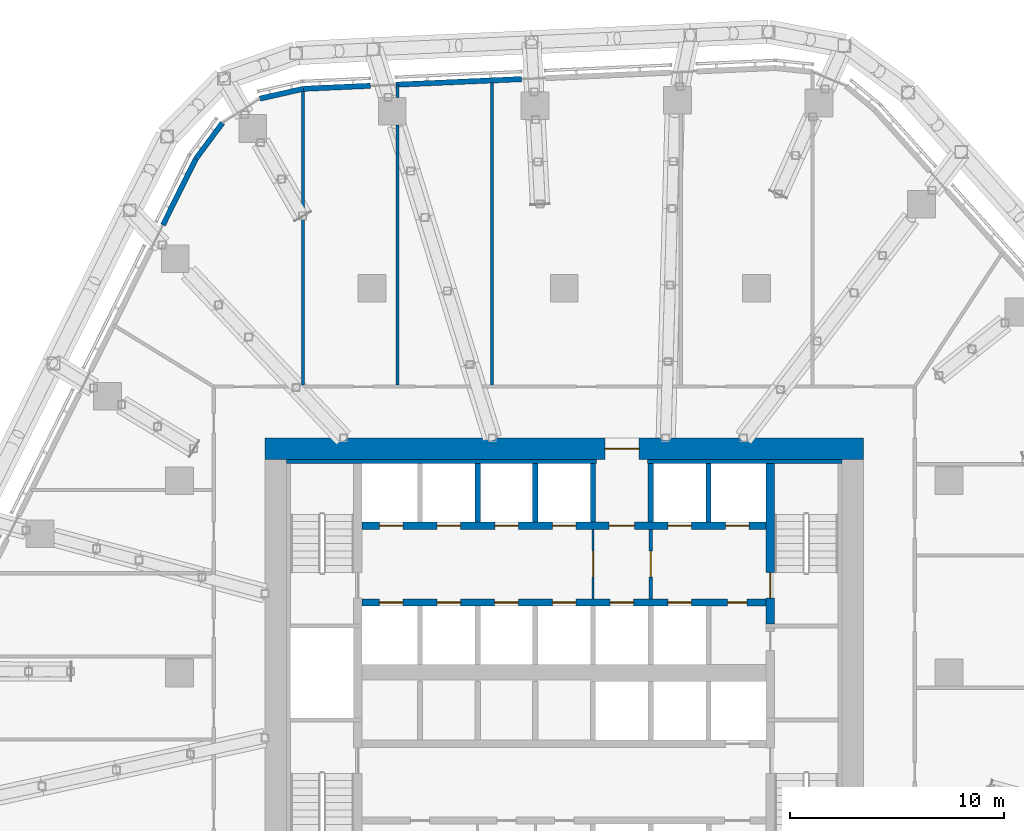
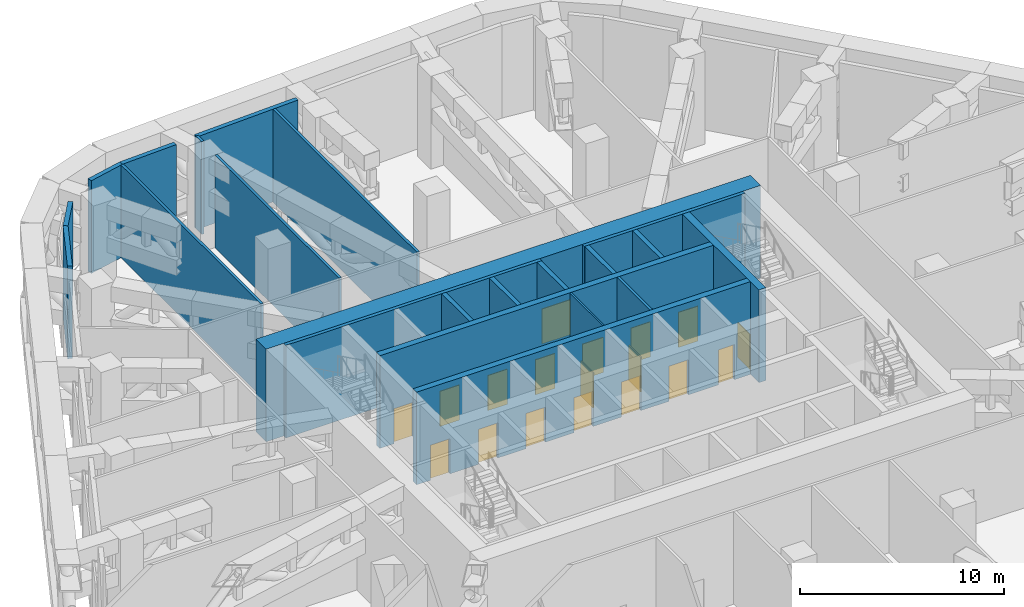
# One storey, part 18 of 30: 22 walls, 18 doors, 18 openings.
"""IFC4 building model written with IfcOpenShell, lengths in metres."""

from ifc_helpers import new_model, si_unit, direction, frame, frame_2d, origin, place, context, subcontext, project, spatial, rectangle, extrude, material, layer, layer_set, type_object, element, fill, save


model = new_model("IFC4")

# Units and contexts
model_context = context("Model", 3, precision=1e-05, world=origin(), true_north=direction((0.0, 1.0)))
body_context = subcontext(model_context, "Body", "Model", "MODEL_VIEW")
ifc_project = project(units=[si_unit("LENGTHUNIT", "METRE"), si_unit("AREAUNIT", "SQUARE_METRE"), si_unit("VOLUMEUNIT", "CUBIC_METRE"), si_unit("PLANEANGLEUNIT", "RADIAN"), si_unit("MASSUNIT", "GRAM", prefix="KILO")], contexts=[model_context])

# Site, building, storey
site_placement = place(None, origin())
site = spatial("IfcSite", under=ifc_project, at=site_placement, CompositionType="ELEMENT")
building_placement = place(site_placement, origin())
building = spatial("IfcBuilding", under=site, at=building_placement, Name="Dongbaek Canopy Tower", CompositionType="ELEMENT")
storey_placement = place(building_placement, frame((0.0, 0.0, 145.60009765625)))
storey = spatial("IfcBuildingStorey", under=building, at=storey_placement, Name="L32", CompositionType="ELEMENT", Elevation=145.60009765625)

# Wall, openings, doors
ifc_material_1 = material(Name="Concrete C60/75", Category="concrete")
ifc_layer_1 = layer(ifc_material_1, 0.35009765625)
ifc_layer_set_1 = layer_set([ifc_layer_1], Name="Core lobby wall 350 Concrete C60/75")
wall_type_1 = type_object("IfcWallType", Name="Core lobby wall 350 Concrete C60/75", PredefinedType="SHEAR", material=ifc_layer_set_1)
wall_1_placement = place(storey_placement, frame((-9.449951171875, 6.89990234375, 0.0), z_axis=(0.0, 0.0, 1.0), x_axis=(1.0, 0.0, 0.0)))
wall_1 = element("IfcWall", 1, at=wall_1_placement, inside=storey, type_object=wall_type_1, Name="Core wall", PredefinedType="SHEAR", context=body_context, shape_type="SweptSolid", body=[
    extrude(rectangle(XDim=18.89990234375, YDim=0.35009765625, at=frame_2d((9.449951171875, 0.0))), origin(), (0.0, 0.0, 1.0), 5.5498046875),
])
opening_1_placement = place(wall_1_placement, frame((0.800048828125, 0.0, 0.0)))
opening_1 = element("IfcOpeningElement", 2, at=opening_1_placement, cuts=wall_1, Name="Opening L32-D025", PredefinedType="OPENING", context=body_context, shape_type="SweptSolid", body=[
    extrude(rectangle(XDim=1.10009765625, YDim=2.10009765625, at=frame_2d((0.550048828125, 1.050048828125))), frame((0.0, 0.18505859375, 0.0), z_axis=(0.0, -1.0, 0.0), x_axis=(1.0, 0.0, 0.0)), (0.0, 0.0, 1.0), 0.3701171875),
])
opening_2_placement = place(wall_1_placement, frame((3.5, 0.0, 0.0)))
opening_2 = element("IfcOpeningElement", 3, at=opening_2_placement, cuts=wall_1, Name="Opening L32-D026", PredefinedType="OPENING", context=body_context, shape_type="SweptSolid", body=[
    extrude(rectangle(XDim=1.10009765625, YDim=2.10009765625, at=frame_2d((0.550048828125, 1.050048828125))), frame((0.0, 0.18505859375, 0.0), z_axis=(0.0, -1.0, 0.0), x_axis=(1.0, 0.0, 0.0)), (0.0, 0.0, 1.0), 0.3701171875),
])
opening_3_placement = place(wall_1_placement, frame((6.199951171875, 0.0, 0.0)))
opening_3 = element("IfcOpeningElement", 4, at=opening_3_placement, cuts=wall_1, Name="Opening L32-D027", PredefinedType="OPENING", context=body_context, shape_type="SweptSolid", body=[
    extrude(rectangle(XDim=1.10009765625, YDim=2.10009765625, at=frame_2d((0.550048828125, 1.050048828125))), frame((0.0, 0.18505859375, 0.0), z_axis=(0.0, -1.0, 0.0), x_axis=(1.0, 0.0, 0.0)), (0.0, 0.0, 1.0), 0.3701171875),
])
opening_4_placement = place(wall_1_placement, frame((8.89990234375, 0.0, 0.0)))
opening_4 = element("IfcOpeningElement", 5, at=opening_4_placement, cuts=wall_1, Name="Opening L32-D028", PredefinedType="OPENING", context=body_context, shape_type="SweptSolid", body=[
    extrude(rectangle(XDim=1.10009765625, YDim=2.10009765625, at=frame_2d((0.550048828125, 1.050048828125))), frame((0.0, 0.18505859375, 0.0), z_axis=(0.0, -1.0, 0.0), x_axis=(1.0, 0.0, 0.0)), (0.0, 0.0, 1.0), 0.3701171875),
])
opening_5_placement = place(wall_1_placement, frame((11.550048828125, 0.0, 0.0)))
opening_5 = element("IfcOpeningElement", 6, at=opening_5_placement, cuts=wall_1, Name="Opening L32-D030", PredefinedType="OPENING", context=body_context, shape_type="SweptSolid", body=[
    extrude(rectangle(XDim=1.199951171875, YDim=2.10009765625, at=frame_2d((0.60009765625, 1.050048828125))), frame((0.0, 0.18505859375, 0.0), z_axis=(0.0, -1.0, 0.0), x_axis=(1.0, 0.0, 0.0)), (0.0, 0.0, 1.0), 0.3701171875),
])
opening_6_placement = place(wall_1_placement, frame((14.300048828125, 0.0, 0.0)))
opening_6 = element("IfcOpeningElement", 7, at=opening_6_placement, cuts=wall_1, Name="Opening L32-D031", PredefinedType="OPENING", context=body_context, shape_type="SweptSolid", body=[
    extrude(rectangle(XDim=1.10009765625, YDim=2.10009765625, at=frame_2d((0.550048828125, 1.050048828125))), frame((0.0, 0.18505859375, 0.0), z_axis=(0.0, -1.0, 0.0), x_axis=(1.0, 0.0, 0.0)), (0.0, 0.0, 1.0), 0.3701171875),
])
opening_7_placement = place(wall_1_placement, frame((17.0, 0.0, 0.0)))
opening_7 = element("IfcOpeningElement", 8, at=opening_7_placement, cuts=wall_1, Name="Opening L32-D032", PredefinedType="OPENING", context=body_context, shape_type="SweptSolid", body=[
    extrude(rectangle(XDim=1.10009765625, YDim=2.10009765625, at=frame_2d((0.550048828125, 1.050048828125))), frame((0.0, 0.18505859375, 0.0), z_axis=(0.0, -1.0, 0.0), x_axis=(1.0, 0.0, 0.0)), (0.0, 0.0, 1.0), 0.3701171875),
])
ifc_material_2 = material(Name="Steel", Category="steel")
door_type_1 = type_object("IfcDoorType", Name="Fire lobby door 1200 x 2100", OperationType="SINGLE_SWING_LEFT", PredefinedType="DOOR", material=ifc_material_2)
door_1_placement = place(opening_5_placement, origin())
door_1 = element("IfcDoor", 9, at=door_1_placement, inside=storey, type_object=door_type_1, Name="Door L32-D030", OperationType="SINGLE_SWING_LEFT", OverallHeight=2.10009765625, OverallWidth=1.199951171875, PredefinedType="DOOR", context=body_context, shape_type="SweptSolid", body=[
    extrude(rectangle(XDim=1.199951171875, YDim=2.10009765625, at=frame_2d((0.60009765625, 1.050048828125))), frame((0.0, 0.02490234375, 0.0), z_axis=(0.0, -1.0, 0.0), x_axis=(1.0, 0.0, 0.0)), (0.0, 0.0, 1.0), 0.050048828125),
])
fill(opening_5, door_1)
ifc_material_3 = material(Name="Stainless steel", Category="steel")
door_type_2 = type_object("IfcDoorType", Name="Lift landing door 1100 x 2100", OperationType="DOUBLE_DOOR_SLIDING", PredefinedType="DOOR", material=ifc_material_3)
door_2_placement = place(opening_1_placement, origin())
door_2 = element("IfcDoor", 10, at=door_2_placement, inside=storey, type_object=door_type_2, Name="Landing door LR1", OperationType="DOUBLE_DOOR_SLIDING", OverallHeight=2.10009765625, OverallWidth=1.10009765625, PredefinedType="DOOR", context=body_context, shape_type="SweptSolid", body=[
    extrude(rectangle(XDim=1.10009765625, YDim=2.10009765625, at=frame_2d((0.550048828125, 1.050048828125))), frame((0.0, 0.02490234375, 0.0), z_axis=(0.0, -1.0, 0.0), x_axis=(1.0, 0.0, 0.0)), (0.0, 0.0, 1.0), 0.050048828125),
])
fill(opening_1, door_2)
door_3_placement = place(opening_2_placement, origin())
door_3 = element("IfcDoor", 11, at=door_3_placement, inside=storey, type_object=door_type_2, Name="Landing door LR2", OperationType="DOUBLE_DOOR_SLIDING", OverallHeight=2.10009765625, OverallWidth=1.10009765625, PredefinedType="DOOR", context=body_context, shape_type="SweptSolid", body=[
    extrude(rectangle(XDim=1.10009765625, YDim=2.10009765625, at=frame_2d((0.550048828125, 1.050048828125))), frame((0.0, 0.02490234375, 0.0), z_axis=(0.0, -1.0, 0.0), x_axis=(1.0, 0.0, 0.0)), (0.0, 0.0, 1.0), 0.050048828125),
])
fill(opening_2, door_3)
door_4_placement = place(opening_3_placement, origin())
door_4 = element("IfcDoor", 12, at=door_4_placement, inside=storey, type_object=door_type_2, Name="Landing door LR3", OperationType="DOUBLE_DOOR_SLIDING", OverallHeight=2.10009765625, OverallWidth=1.10009765625, PredefinedType="DOOR", context=body_context, shape_type="SweptSolid", body=[
    extrude(rectangle(XDim=1.10009765625, YDim=2.10009765625, at=frame_2d((0.550048828125, 1.050048828125))), frame((0.0, 0.02490234375, 0.0), z_axis=(0.0, -1.0, 0.0), x_axis=(1.0, 0.0, 0.0)), (0.0, 0.0, 1.0), 0.050048828125),
])
fill(opening_3, door_4)
door_5_placement = place(opening_4_placement, origin())
door_5 = element("IfcDoor", 13, at=door_5_placement, inside=storey, type_object=door_type_2, Name="Landing door LR4", OperationType="DOUBLE_DOOR_SLIDING", OverallHeight=2.10009765625, OverallWidth=1.10009765625, PredefinedType="DOOR", context=body_context, shape_type="SweptSolid", body=[
    extrude(rectangle(XDim=1.10009765625, YDim=2.10009765625, at=frame_2d((0.550048828125, 1.050048828125))), frame((0.0, 0.02490234375, 0.0), z_axis=(0.0, -1.0, 0.0), x_axis=(1.0, 0.0, 0.0)), (0.0, 0.0, 1.0), 0.050048828125),
])
fill(opening_4, door_5)
door_6_placement = place(opening_6_placement, origin())
door_6 = element("IfcDoor", 14, at=door_6_placement, inside=storey, type_object=door_type_2, Name="Landing door FF1", OperationType="DOUBLE_DOOR_SLIDING", OverallHeight=2.10009765625, OverallWidth=1.10009765625, PredefinedType="DOOR", context=body_context, shape_type="SweptSolid", body=[
    extrude(rectangle(XDim=1.10009765625, YDim=2.10009765625, at=frame_2d((0.550048828125, 1.050048828125))), frame((0.0, 0.02490234375, 0.0), z_axis=(0.0, -1.0, 0.0), x_axis=(1.0, 0.0, 0.0)), (0.0, 0.0, 1.0), 0.050048828125),
])
fill(opening_6, door_6)
door_7_placement = place(opening_7_placement, origin())
door_7 = element("IfcDoor", 15, at=door_7_placement, inside=storey, type_object=door_type_2, Name="Landing door FF2", OperationType="DOUBLE_DOOR_SLIDING", OverallHeight=2.10009765625, OverallWidth=1.10009765625, PredefinedType="DOOR", context=body_context, shape_type="SweptSolid", body=[
    extrude(rectangle(XDim=1.10009765625, YDim=2.10009765625, at=frame_2d((0.550048828125, 1.050048828125))), frame((0.0, 0.02490234375, 0.0), z_axis=(0.0, -1.0, 0.0), x_axis=(1.0, 0.0, 0.0)), (0.0, 0.0, 1.0), 0.050048828125),
])
fill(opening_7, door_7)

wall_2_placement = place(storey_placement, frame((9.449951171875, 3.300048828125, 0.0), z_axis=(0.0, 0.0, 1.0), x_axis=(-1.0, 0.0, 0.0)))
wall_2 = element("IfcWall", 16, at=wall_2_placement, inside=storey, type_object=wall_type_1, Name="Core wall", PredefinedType="SHEAR", context=body_context, shape_type="SweptSolid", body=[
    extrude(rectangle(XDim=18.89990234375, YDim=0.35009765625, at=frame_2d((9.449951171875, 0.0))), origin(), (0.0, 0.0, 1.0), 5.5498046875),
])
opening_8_placement = place(wall_2_placement, frame((17.0, 0.0, 0.0)))
opening_8 = element("IfcOpeningElement", 17, at=opening_8_placement, cuts=wall_2, Name="Opening L32-D033", PredefinedType="OPENING", context=body_context, shape_type="SweptSolid", body=[
    extrude(rectangle(XDim=1.10009765625, YDim=2.10009765625, at=frame_2d((0.550048828125, 1.050048828125))), frame((0.0, 0.18505859375, 0.0), z_axis=(0.0, -1.0, 0.0), x_axis=(1.0, 0.0, 0.0)), (0.0, 0.0, 1.0), 0.3701171875),
])
opening_9_placement = place(wall_2_placement, frame((14.300048828125, 0.0, 0.0)))
opening_9 = element("IfcOpeningElement", 18, at=opening_9_placement, cuts=wall_2, Name="Opening L32-D034", PredefinedType="OPENING", context=body_context, shape_type="SweptSolid", body=[
    extrude(rectangle(XDim=1.10009765625, YDim=2.10009765625, at=frame_2d((0.550048828125, 1.050048828125))), frame((0.0, 0.18505859375, 0.0), z_axis=(0.0, -1.0, 0.0), x_axis=(1.0, 0.0, 0.0)), (0.0, 0.0, 1.0), 0.3701171875),
])
opening_10_placement = place(wall_2_placement, frame((11.60009765625, 0.0, 0.0)))
opening_10 = element("IfcOpeningElement", 19, at=opening_10_placement, cuts=wall_2, Name="Opening L32-D035", PredefinedType="OPENING", context=body_context, shape_type="SweptSolid", body=[
    extrude(rectangle(XDim=1.10009765625, YDim=2.10009765625, at=frame_2d((0.550048828125, 1.050048828125))), frame((0.0, 0.18505859375, 0.0), z_axis=(0.0, -1.0, 0.0), x_axis=(1.0, 0.0, 0.0)), (0.0, 0.0, 1.0), 0.3701171875),
])
opening_11_placement = place(wall_2_placement, frame((8.89990234375, 0.0, 0.0)))
opening_11 = element("IfcOpeningElement", 20, at=opening_11_placement, cuts=wall_2, Name="Opening L32-D036", PredefinedType="OPENING", context=body_context, shape_type="SweptSolid", body=[
    extrude(rectangle(XDim=1.10009765625, YDim=2.10009765625, at=frame_2d((0.550048828125, 1.050048828125))), frame((0.0, 0.18505859375, 0.0), z_axis=(0.0, -1.0, 0.0), x_axis=(1.0, 0.0, 0.0)), (0.0, 0.0, 1.0), 0.3701171875),
])
opening_12_placement = place(wall_2_placement, frame((6.199951171875, 0.0, 0.0)))
opening_12 = element("IfcOpeningElement", 21, at=opening_12_placement, cuts=wall_2, Name="Opening L32-D037", PredefinedType="OPENING", context=body_context, shape_type="SweptSolid", body=[
    extrude(rectangle(XDim=1.10009765625, YDim=2.10009765625, at=frame_2d((0.550048828125, 1.050048828125))), frame((0.0, 0.18505859375, 0.0), z_axis=(0.0, -1.0, 0.0), x_axis=(1.0, 0.0, 0.0)), (0.0, 0.0, 1.0), 0.3701171875),
])
opening_13_placement = place(wall_2_placement, frame((3.5, 0.0, 0.0)))
opening_13 = element("IfcOpeningElement", 22, at=opening_13_placement, cuts=wall_2, Name="Opening L32-D038", PredefinedType="OPENING", context=body_context, shape_type="SweptSolid", body=[
    extrude(rectangle(XDim=1.10009765625, YDim=2.10009765625, at=frame_2d((0.550048828125, 1.050048828125))), frame((0.0, 0.18505859375, 0.0), z_axis=(0.0, -1.0, 0.0), x_axis=(1.0, 0.0, 0.0)), (0.0, 0.0, 1.0), 0.3701171875),
])
opening_14_placement = place(wall_2_placement, frame((0.89990234375, 0.0, 0.0)))
opening_14 = element("IfcOpeningElement", 23, at=opening_14_placement, cuts=wall_2, Name="Opening L32-D039", PredefinedType="OPENING", context=body_context, shape_type="SweptSolid", body=[
    extrude(rectangle(XDim=0.89990234375, YDim=2.10009765625, at=frame_2d((0.449951171875, 1.050048828125))), frame((0.0, 0.18505859375, 0.0), z_axis=(0.0, -1.0, 0.0), x_axis=(1.0, 0.0, 0.0)), (0.0, 0.0, 1.0), 0.3701171875),
])
ifc_material_4 = material(Name="Steel", Category="steel")
door_type_3 = type_object("IfcDoorType", Name="Core room door 900 x 2100", OperationType="SINGLE_SWING_LEFT", PredefinedType="DOOR", material=ifc_material_4)
door_8_placement = place(opening_14_placement, origin())
door_8 = element("IfcDoor", 24, at=door_8_placement, inside=storey, type_object=door_type_3, Name="Door L32-D039", OperationType="SINGLE_SWING_LEFT", OverallHeight=2.10009765625, OverallWidth=0.89990234375, PredefinedType="DOOR", context=body_context, shape_type="SweptSolid", body=[
    extrude(rectangle(XDim=0.89990234375, YDim=2.10009765625, at=frame_2d((0.449951171875, 1.050048828125))), frame((0.0, 0.02490234375, 0.0), z_axis=(0.0, -1.0, 0.0), x_axis=(1.0, 0.0, 0.0)), (0.0, 0.0, 1.0), 0.050048828125),
])
fill(opening_14, door_8)
door_9_placement = place(opening_8_placement, origin())
door_9 = element("IfcDoor", 25, at=door_9_placement, inside=storey, type_object=door_type_2, Name="Landing door LR5", OperationType="DOUBLE_DOOR_SLIDING", OverallHeight=2.10009765625, OverallWidth=1.10009765625, PredefinedType="DOOR", context=body_context, shape_type="SweptSolid", body=[
    extrude(rectangle(XDim=1.10009765625, YDim=2.10009765625, at=frame_2d((0.550048828125, 1.050048828125))), frame((0.0, 0.02490234375, 0.0), z_axis=(0.0, -1.0, 0.0), x_axis=(1.0, 0.0, 0.0)), (0.0, 0.0, 1.0), 0.050048828125),
])
fill(opening_8, door_9)
door_10_placement = place(opening_9_placement, origin())
door_10 = element("IfcDoor", 26, at=door_10_placement, inside=storey, type_object=door_type_2, Name="Landing door LR6", OperationType="DOUBLE_DOOR_SLIDING", OverallHeight=2.10009765625, OverallWidth=1.10009765625, PredefinedType="DOOR", context=body_context, shape_type="SweptSolid", body=[
    extrude(rectangle(XDim=1.10009765625, YDim=2.10009765625, at=frame_2d((0.550048828125, 1.050048828125))), frame((0.0, 0.02490234375, 0.0), z_axis=(0.0, -1.0, 0.0), x_axis=(1.0, 0.0, 0.0)), (0.0, 0.0, 1.0), 0.050048828125),
])
fill(opening_9, door_10)
door_11_placement = place(opening_10_placement, origin())
door_11 = element("IfcDoor", 27, at=door_11_placement, inside=storey, type_object=door_type_2, Name="Landing door LR7", OperationType="DOUBLE_DOOR_SLIDING", OverallHeight=2.10009765625, OverallWidth=1.10009765625, PredefinedType="DOOR", context=body_context, shape_type="SweptSolid", body=[
    extrude(rectangle(XDim=1.10009765625, YDim=2.10009765625, at=frame_2d((0.550048828125, 1.050048828125))), frame((0.0, 0.02490234375, 0.0), z_axis=(0.0, -1.0, 0.0), x_axis=(1.0, 0.0, 0.0)), (0.0, 0.0, 1.0), 0.050048828125),
])
fill(opening_10, door_11)
door_12_placement = place(opening_11_placement, origin())
door_12 = element("IfcDoor", 28, at=door_12_placement, inside=storey, type_object=door_type_2, Name="Landing door LR8", OperationType="DOUBLE_DOOR_SLIDING", OverallHeight=2.10009765625, OverallWidth=1.10009765625, PredefinedType="DOOR", context=body_context, shape_type="SweptSolid", body=[
    extrude(rectangle(XDim=1.10009765625, YDim=2.10009765625, at=frame_2d((0.550048828125, 1.050048828125))), frame((0.0, 0.02490234375, 0.0), z_axis=(0.0, -1.0, 0.0), x_axis=(1.0, 0.0, 0.0)), (0.0, 0.0, 1.0), 0.050048828125),
])
fill(opening_11, door_12)
door_13_placement = place(opening_12_placement, origin())
door_13 = element("IfcDoor", 29, at=door_13_placement, inside=storey, type_object=door_type_2, Name="Landing door SV1", OperationType="DOUBLE_DOOR_SLIDING", OverallHeight=2.10009765625, OverallWidth=1.10009765625, PredefinedType="DOOR", context=body_context, shape_type="SweptSolid", body=[
    extrude(rectangle(XDim=1.10009765625, YDim=2.10009765625, at=frame_2d((0.550048828125, 1.050048828125))), frame((0.0, 0.02490234375, 0.0), z_axis=(0.0, -1.0, 0.0), x_axis=(1.0, 0.0, 0.0)), (0.0, 0.0, 1.0), 0.050048828125),
])
fill(opening_12, door_13)
door_14_placement = place(opening_13_placement, origin())
door_14 = element("IfcDoor", 30, at=door_14_placement, inside=storey, type_object=door_type_2, Name="Landing door FF3", OperationType="DOUBLE_DOOR_SLIDING", OverallHeight=2.10009765625, OverallWidth=1.10009765625, PredefinedType="DOOR", context=body_context, shape_type="SweptSolid", body=[
    extrude(rectangle(XDim=1.10009765625, YDim=2.10009765625, at=frame_2d((0.550048828125, 1.050048828125))), frame((0.0, 0.02490234375, 0.0), z_axis=(0.0, -1.0, 0.0), x_axis=(1.0, 0.0, 0.0)), (0.0, 0.0, 1.0), 0.050048828125),
])
fill(opening_13, door_14)

# Wall, opening, door
ifc_material_5 = material(Name="Concrete C60/75", Category="concrete")
ifc_layer_2 = layer(ifc_material_5, 1.0)
ifc_layer_set_2 = layer_set([ifc_layer_2], Name="Core outer wall 1000 Concrete C60/75")
wall_type_2 = type_object("IfcWallType", Name="Core outer wall 1000 Concrete C60/75", PredefinedType="SHEAR", material=ifc_layer_set_2)
wall_3_placement = place(storey_placement, frame((-14.0, 10.5, 0.0), z_axis=(0.0, 0.0, 1.0), x_axis=(1.0, 0.0, 0.0)))
wall_3 = element("IfcWall", 31, at=wall_3_placement, inside=storey, type_object=wall_type_2, Name="Core wall", PredefinedType="SHEAR", context=body_context, shape_type="SweptSolid", body=[
    extrude(rectangle(XDim=28.0, YDim=1.0, at=frame_2d((14.0, 0.0))), origin(), (0.0, 0.0, 1.0), 5.5498046875),
])
opening_15_placement = place(wall_3_placement, frame((15.89990234375, 0.0, 0.0)))
opening_15 = element("IfcOpeningElement", 32, at=opening_15_placement, cuts=wall_3, Name="Opening L32-D029", PredefinedType="OPENING", context=body_context, shape_type="SweptSolid", body=[
    extrude(rectangle(XDim=1.60009765625, YDim=2.10009765625, at=frame_2d((0.800048828125, 1.050048828125))), frame((0.0, 0.510009765625, 0.0), z_axis=(0.0, -1.0, 0.0), x_axis=(1.0, 0.0, 0.0)), (0.0, 0.0, 1.0), 1.02001953125),
])
ifc_material_6 = material(Name="Steel", Category="steel")
door_type_4 = type_object("IfcDoorType", Name="Core exit door 1600 x 2100", OperationType="DOUBLE_DOOR_SINGLE_SWING", PredefinedType="DOOR", material=ifc_material_6)
door_15_placement = place(opening_15_placement, origin())
door_15 = element("IfcDoor", 33, at=door_15_placement, inside=storey, type_object=door_type_4, Name="Core exit door", OperationType="DOUBLE_DOOR_SINGLE_SWING", OverallHeight=2.10009765625, OverallWidth=1.60009765625, PredefinedType="DOOR", context=body_context, shape_type="SweptSolid", body=[
    extrude(rectangle(XDim=1.60009765625, YDim=2.10009765625, at=frame_2d((0.800048828125, 1.050048828125))), frame((0.0, 0.02490234375, 0.0), z_axis=(0.0, -1.0, 0.0), x_axis=(1.0, 0.0, 0.0)), (0.0, 0.0, 1.0), 0.050048828125),
])
fill(opening_15, door_15)

# Walls
ifc_material_7 = material(Name="Concrete C60/75", Category="concrete")
ifc_layer_3 = layer(ifc_material_7, 0.199951171875)
ifc_layer_set_3 = layer_set([ifc_layer_3], Name="Core wall lining 200 Concrete C60/75")
wall_type_3 = type_object("IfcWallType", Name="Core wall lining 200 Concrete C60/75", PredefinedType="SHEAR", material=ifc_layer_set_3)
wall_4_placement = place(storey_placement, frame((-13.0, 9.89990234375, 0.0), z_axis=(0.0, 0.0, 1.0), x_axis=(1.0, 0.0, 0.0)))
element("IfcWall", 34, at=wall_4_placement, inside=storey, type_object=wall_type_3, Name="Core wall lining", PredefinedType="SHEAR", context=body_context, shape_type="SweptSolid", body=[
    extrude(rectangle(XDim=14.5, YDim=0.199951171875, at=frame_2d((7.25, 0.0))), origin(), (0.0, 0.0, 1.0), 5.5498046875),
])
wall_5_placement = place(storey_placement, frame((3.89990234375, 9.89990234375, 0.0), z_axis=(0.0, 0.0, 1.0), x_axis=(1.0, 0.0, 0.0)))
element("IfcWall", 35, at=wall_5_placement, inside=storey, type_object=wall_type_3, Name="Core wall lining", PredefinedType="SHEAR", context=body_context, shape_type="SweptSolid", body=[
    extrude(rectangle(XDim=9.10009765625, YDim=0.199951171875, at=frame_2d((4.550048828125, 0.0))), origin(), (0.0, 0.0, 1.0), 5.5498046875),
])
ifc_material_8 = material(Name="Gypsum board partition, steel stud, 2 x 15 mm fire board", Category="steel")
ifc_layer_4 = layer(ifc_material_8, 0.14990234375)
ifc_layer_set_4 = layer_set([ifc_layer_4], Name="Fire-rated partition 150 gypsum board")
wall_type_4 = type_object("IfcWallType", Name="Fire-rated partition 150 gypsum board", PredefinedType="PARTITIONING", material=ifc_layer_set_4)
wall_6_placement = place(storey_placement, frame((-3.383056640625, 13.47509765625, 0.0), z_axis=(0.0, 0.0, 1.0), x_axis=(0.0, 1.0, 0.0)))
element("IfcWall", 36, at=wall_6_placement, inside=storey, type_object=wall_type_4, Name="Corridor partition", PredefinedType="PARTITIONING", context=body_context, shape_type="SweptSolid", body=[
    extrude(rectangle(XDim=14.233642578125, YDim=0.14990234375, at=frame_2d((7.11669921875, 0.0))), origin(), (0.0, 0.0, 1.0), 5.5498046875),
])
wall_7_placement = place(storey_placement, frame((-7.800048828125, 13.47509765625, 0.0), z_axis=(0.0, 0.0, 1.0), x_axis=(0.0, 1.0, 0.0)))
element("IfcWall", 37, at=wall_7_placement, inside=storey, type_object=wall_type_4, Name="Corridor partition", PredefinedType="PARTITIONING", context=body_context, shape_type="SweptSolid", body=[
    extrude(rectangle(XDim=12.162841796875, YDim=0.14990234375, at=frame_2d((6.08154296875, 0.0))), origin(), (0.0, 0.0, 1.0), 5.5498046875),
])
wall_8_placement = place(storey_placement, frame((-7.800048828125, 26.93798828125, 0.0), z_axis=(0.0, 0.0, 1.0), x_axis=(0.0, 1.0, 0.0)))
element("IfcWall", 38, at=wall_8_placement, inside=storey, type_object=wall_type_4, Name="Corridor partition", PredefinedType="PARTITIONING", context=body_context, shape_type="SweptSolid", body=[
    extrude(rectangle(XDim=0.57470703125, YDim=0.14990234375, at=frame_2d((0.287353515625, 0.0))), origin(), (0.0, 0.0, 1.0), 5.5498046875),
])
wall_9_placement = place(storey_placement, frame((-12.216064453125, 13.47509765625, 0.0), z_axis=(0.0, 0.0, 1.0), x_axis=(0.0, 1.0, 0.0)))
element("IfcWall", 39, at=wall_9_placement, inside=storey, type_object=wall_type_4, Name="Corridor partition", PredefinedType="PARTITIONING", context=body_context, shape_type="SweptSolid", body=[
    extrude(rectangle(XDim=13.838623046875, YDim=0.14990234375, at=frame_2d((6.91943359375, 0.0))), origin(), (0.0, 0.0, 1.0), 5.5498046875),
])

# Wall, opening, door
wall_10_placement = place(storey_placement, frame((4.050048828125, 6.72509765625, 0.0), z_axis=(0.0, 0.0, 1.0), x_axis=(0.0, -1.0, 0.0)))
wall_10 = element("IfcWall", 40, at=wall_10_placement, inside=storey, type_object=wall_type_4, Name="Fire lobby partition", PredefinedType="PARTITIONING", context=body_context, shape_type="SweptSolid", body=[
    extrude(rectangle(XDim=3.25, YDim=0.14990234375, at=frame_2d((1.625, 0.0))), origin(), (0.0, 0.0, 1.0), 5.5498046875),
])
opening_16_placement = place(wall_10_placement, frame((1.02490234375, 0.0, 0.0)))
opening_16 = element("IfcOpeningElement", 41, at=opening_16_placement, cuts=wall_10, Name="Opening L32-D051", PredefinedType="OPENING", context=body_context, shape_type="SweptSolid", body=[
    extrude(rectangle(XDim=1.199951171875, YDim=2.10009765625, at=frame_2d((0.60009765625, 1.050048828125))), frame((0.0, 0.0849609375, 0.0), z_axis=(0.0, -1.0, 0.0), x_axis=(1.0, 0.0, 0.0)), (0.0, 0.0, 1.0), 0.169921875),
])
door_16_placement = place(opening_16_placement, origin())
door_16 = element("IfcDoor", 42, at=door_16_placement, inside=storey, type_object=door_type_1, Name="Door L32-D051", OperationType="SINGLE_SWING_RIGHT", OverallHeight=2.10009765625, OverallWidth=1.199951171875, PredefinedType="DOOR", context=body_context, shape_type="SweptSolid", body=[
    extrude(rectangle(XDim=1.199951171875, YDim=2.10009765625, at=frame_2d((0.60009765625, 1.050048828125))), frame((0.0, 0.02490234375, 0.0), z_axis=(0.0, -1.0, 0.0), x_axis=(1.0, 0.0, 0.0)), (0.0, 0.0, 1.0), 0.050048828125),
])
fill(opening_16, door_16)

# Walls
ifc_material_9 = material(Name="Concrete C40/50", Category="concrete")
ifc_layer_5 = layer(ifc_material_9, 0.25)
ifc_layer_set_5 = layer_set([ifc_layer_5], Name="Lift shaft wall 250 Concrete C40/50")
wall_type_5 = type_object("IfcWallType", Name="Lift shaft wall 250 Concrete C40/50", PredefinedType="SOLIDWALL", material=ifc_layer_set_5)
for number, where, z_axis, x_axis, name in (
    (43, (6.75, 7.074951171875, 0.0), (0.0, 0.0, 1.0), (0.0, 1.0, 0.0), "Lift shaft wall"),
    (44, (4.050048828125, 7.074951171875, 0.0), (0.0, 0.0, 1.0), (0.0, 1.0, 0.0), "Lift shaft wall"),
    (45, (1.35009765625, 7.074951171875, 0.0), (0.0, 0.0, 1.0), (0.0, 1.0, 0.0), "Lift shaft wall"),
    (46, (-1.35009765625, 7.074951171875, 0.0), (0.0, 0.0, 1.0), (0.0, 1.0, 0.0), "Lift shaft wall"),
    (47, (-4.050048828125, 7.074951171875, 0.0), (0.0, 0.0, 1.0), (0.0, 1.0, 0.0), "Lift shaft wall"),
):
    element("IfcWall", number, at=place(storey_placement, frame(where, z_axis=z_axis, x_axis=x_axis)), inside=storey, type_object=wall_type_5, Name=name, PredefinedType="SOLIDWALL", context=body_context, shape_type="SweptSolid", body=[
        extrude(rectangle(XDim=2.72509765625, YDim=0.25, at=frame_2d((1.362548828125, 0.0))), origin(), (0.0, 0.0, 1.0), 5.5498046875),
    ])

# Wall, opening, door
ifc_material_10 = material(Name="Gypsum board partition, steel stud, 2 x 12.5 mm board", Category="steel")
ifc_layer_6 = layer(ifc_material_10, 0.10009765625)
ifc_layer_set_6 = layer_set([ifc_layer_6], Name="Partition 100 gypsum board")
wall_type_6 = type_object("IfcWallType", Name="Partition 100 gypsum board", PredefinedType="PARTITIONING", material=ifc_layer_set_6)
wall_11_placement = place(storey_placement, frame((1.35009765625, 6.72509765625, 0.0), z_axis=(0.0, 0.0, 1.0), x_axis=(0.0, -1.0, 0.0)))
wall_11 = element("IfcWall", 48, at=wall_11_placement, inside=storey, type_object=wall_type_6, Name="Core partition", PredefinedType="PARTITIONING", context=body_context, shape_type="SweptSolid", body=[
    extrude(rectangle(XDim=3.25, YDim=0.10009765625, at=frame_2d((1.625, 0.0))), origin(), (0.0, 0.0, 1.0), 5.5498046875),
])
opening_17_placement = place(wall_11_placement, frame((1.02490234375, 0.0, 0.0)))
opening_17 = element("IfcOpeningElement", 49, at=opening_17_placement, cuts=wall_11, Name="Opening L32-D050", PredefinedType="OPENING", context=body_context, shape_type="SweptSolid", body=[
    extrude(rectangle(XDim=1.199951171875, YDim=2.10009765625, at=frame_2d((0.60009765625, 1.050048828125))), frame((0.0, 0.06005859375, 0.0), z_axis=(0.0, -1.0, 0.0), x_axis=(1.0, 0.0, 0.0)), (0.0, 0.0, 1.0), 0.1201171875),
])
door_17_placement = place(opening_17_placement, origin())
door_17 = element("IfcDoor", 50, at=door_17_placement, inside=storey, type_object=door_type_1, Name="Door L32-D050", OperationType="SINGLE_SWING_LEFT", OverallHeight=2.10009765625, OverallWidth=1.199951171875, PredefinedType="DOOR", context=body_context, shape_type="SweptSolid", body=[
    extrude(rectangle(XDim=1.199951171875, YDim=2.10009765625, at=frame_2d((0.60009765625, 1.050048828125))), frame((0.0, 0.02490234375, 0.0), z_axis=(0.0, -1.0, 0.0), x_axis=(1.0, 0.0, 0.0)), (0.0, 0.0, 1.0), 0.050048828125),
])
fill(opening_17, door_17)

# Walls
ifc_material_11 = material(Name="Pale metal cladding on insulated wall")
ifc_layer_7 = layer(ifc_material_11, 0.25)
ifc_layer_set_7 = layer_set([ifc_layer_7], Name="Plant floor wall 250")
wall_type_7 = type_object("IfcWallType", Name="Plant floor wall 250", PredefinedType="SOLIDWALL", material=ifc_layer_set_7)
wall_12_placement = place(storey_placement, frame((-1.990234375, 27.790771484375, 0.0), z_axis=(0.0, 0.0, 1.0), x_axis=(-0.999014338485, -0.044388641583, 0.0)))
element("IfcWall", 51, at=wall_12_placement, inside=storey, type_object=wall_type_7, Name="Plant wall L32 F1 3", PredefinedType="SOLIDWALL", context=body_context, shape_type="SweptSolid", body=[
    extrude(rectangle(XDim=5.879638671875, YDim=0.25, at=frame_2d((2.93994140625, 0.0))), origin(), (0.0, 0.0, 1.0), 5.5498046875),
])
wall_13_placement = place(storey_placement, frame((-9.072509765625, 27.476318359375, 0.0), z_axis=(0.0, 0.0, 1.0), x_axis=(-0.999013499265, -0.044407525117, 0.0)))
element("IfcWall", 52, at=wall_13_placement, inside=storey, type_object=wall_type_7, Name="Plant wall L32 F1 4", PredefinedType="SOLIDWALL", context=body_context, shape_type="SweptSolid", body=[
    extrude(rectangle(XDim=3.1337890625, YDim=0.25, at=frame_2d((1.56689453125, 0.0))), origin(), (0.0, 0.0, 1.0), 5.5498046875),
])
for number, where, z_axis, x_axis, name in (
    (53, (-12.203125, 27.337158203125, 0.0), (0.0, 0.0, 1.0), (-0.975465253957, -0.220153442676, 0.0), "Plant wall L32 K2 1"),
    (54, (-15.99072265625, 25.739990234375, 0.0), (0.0, 0.0, 1.0), (-0.596072647465, -0.80293050692, 0.0), "Plant wall L32 K2 2"),
):
    element("IfcWall", number, at=place(storey_placement, frame(where, z_axis=z_axis, x_axis=x_axis)), inside=storey, type_object=wall_type_7, Name=name, PredefinedType="SOLIDWALL", context=body_context, shape_type="SweptSolid", body=[
        extrude(rectangle(XDim=2.092529296875, YDim=0.25, at=frame_2d((1.04638671875, 0.0))), origin(), (0.0, 0.0, 1.0), 5.5498046875),
    ])
wall_14_placement = place(storey_placement, frame((-17.238037109375, 24.059814453125, 0.0), z_axis=(0.0, 0.0, 1.0), x_axis=(-0.444920690852, -0.895569974291, 0.0)))
element("IfcWall", 55, at=wall_14_placement, inside=storey, type_object=wall_type_7, Name="Plant wall L32 F2 1", PredefinedType="SOLIDWALL", context=body_context, shape_type="SweptSolid", body=[
    extrude(rectangle(XDim=3.4521484375, YDim=0.25, at=frame_2d((1.72607421875, 0.0))), origin(), (0.0, 0.0, 1.0), 5.5498046875),
])

# Wall, opening, door
ifc_material_12 = material(Name="Concrete C60/75", Category="concrete")
ifc_layer_8 = layer(ifc_material_12, 0.39990234375)
ifc_layer_set_8 = layer_set([ifc_layer_8], Name="Stair wall 400 Concrete C60/75")
wall_type_8 = type_object("IfcWallType", Name="Stair wall 400 Concrete C60/75", PredefinedType="SHEAR", material=ifc_layer_set_8)
wall_15_placement = place(storey_placement, frame((9.64990234375, 9.800048828125, 0.0), z_axis=(0.0, 0.0, 1.0), x_axis=(0.0, -1.0, 0.0)))
wall_15 = element("IfcWall", 56, at=wall_15_placement, inside=storey, type_object=wall_type_8, Name="Stair wall", PredefinedType="SHEAR", context=body_context, shape_type="SweptSolid", body=[
    extrude(rectangle(XDim=7.5, YDim=0.39990234375, at=frame_2d((3.75, 0.0))), origin(), (0.0, 0.0, 1.0), 5.5498046875),
])
opening_18_placement = place(wall_15_placement, frame((5.10009765625, 0.0, 0.0)))
opening_18 = element("IfcOpeningElement", 57, at=opening_18_placement, cuts=wall_15, Name="Opening L32-D046", PredefinedType="OPENING", context=body_context, shape_type="SweptSolid", body=[
    extrude(rectangle(XDim=1.199951171875, YDim=2.10009765625, at=frame_2d((0.60009765625, 1.050048828125))), frame((0.0, 0.2099609375, 0.0), z_axis=(0.0, -1.0, 0.0), x_axis=(1.0, 0.0, 0.0)), (0.0, 0.0, 1.0), 0.419921875),
])
ifc_material_13 = material(Name="Steel", Category="steel")
door_type_5 = type_object("IfcDoorType", Name="Stair door 1200 x 2100", OperationType="SINGLE_SWING_LEFT", PredefinedType="DOOR", material=ifc_material_13)
door_18_placement = place(opening_18_placement, origin())
door_18 = element("IfcDoor", 58, at=door_18_placement, inside=storey, type_object=door_type_5, Name="Stair A door", OperationType="SINGLE_SWING_LEFT", OverallHeight=2.10009765625, OverallWidth=1.199951171875, PredefinedType="DOOR", context=body_context, shape_type="SweptSolid", body=[
    extrude(rectangle(XDim=1.199951171875, YDim=2.10009765625, at=frame_2d((0.60009765625, 1.050048828125))), frame((0.0, 0.02490234375, 0.0), z_axis=(0.0, -1.0, 0.0), x_axis=(1.0, 0.0, 0.0)), (0.0, 0.0, 1.0), 0.050048828125),
])
fill(opening_18, door_18)

save(model, "model.ifc")
